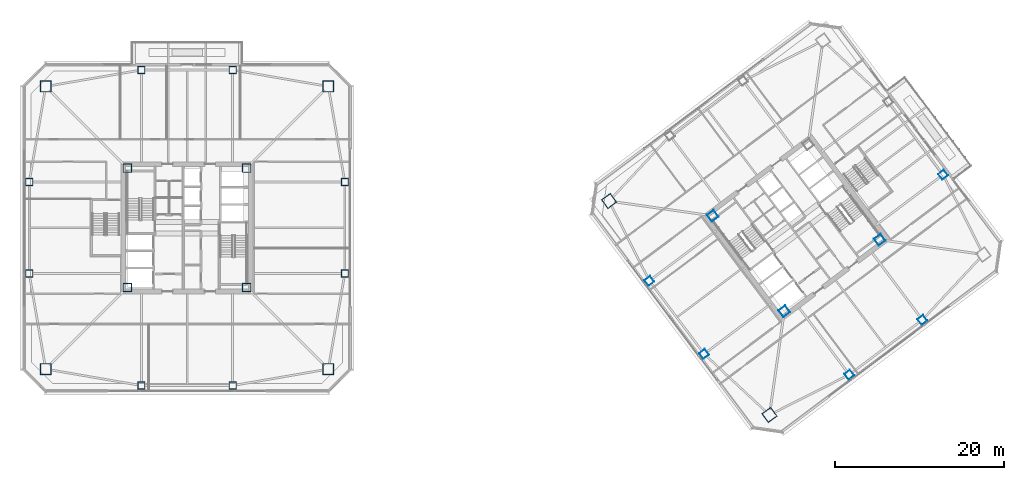
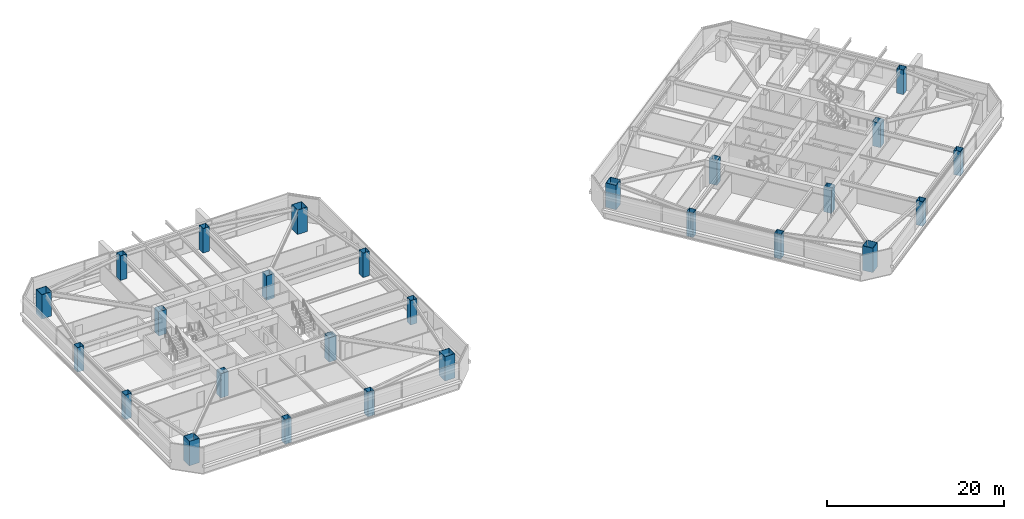
# One storey, part 1 of 41: 26 columns.
"""IFC4 building model written with IfcOpenShell, lengths in metres."""

from ifc_helpers import new_model, si_unit, direction, frame, origin, origin_2d, place, context, subcontext, project, spatial, hollow_rectangle, extrude, material, material_profile, profile_set, type_object, element, save


model = new_model("IFC4")

# Units and contexts
model_context = context("Model", 3, precision=1e-05, world=origin(), true_north=direction((0.0, 1.0)))
body_context = subcontext(model_context, "Body", "Model", "MODEL_VIEW")
ifc_project = project(units=[si_unit("LENGTHUNIT", "METRE"), si_unit("AREAUNIT", "SQUARE_METRE"), si_unit("VOLUMEUNIT", "CUBIC_METRE"), si_unit("PLANEANGLEUNIT", "RADIAN"), si_unit("MASSUNIT", "GRAM", prefix="KILO")], contexts=[model_context])

# Site, building, storey
site_placement = place(None, origin())
site = spatial("IfcSite", under=ifc_project, at=site_placement, CompositionType="ELEMENT")
building_placement = place(site_placement, origin())
building = spatial("IfcBuilding", under=site, at=building_placement, Name="Tashvorn Skyway Center", CompositionType="ELEMENT")
storey_placement = place(building_placement, frame((0.0, 0.0, 146.35009765625)))
storey = spatial("IfcBuildingStorey", under=building, at=storey_placement, Name="L39", CompositionType="ELEMENT", Elevation=146.35009765625)

# Columns
ifc_material = material(Name="Steel ASTM A572 Grade 50", Category="steel")
ifc_material_profile_1 = material_profile(ifc_material, hollow_rectangle(XDim=1.0, YDim=1.0, WallThickness=0.0400390625, at=origin_2d()), Name="BOX1000x1000x40")
ifc_profile_set_1 = profile_set([ifc_material_profile_1], Name="Steel ASTM A572 Grade 50")
column_type_1 = type_object("IfcColumnType", Name="COL-BOX1000x1000x40", PredefinedType="COLUMN", material=ifc_profile_set_1)
for number, where, z_axis, x_axis, name in (
    (1, (34.949951171875, 24.949951171875, 0.0), (0.0, 0.0, 1.0), (1.0, 0.0, 0.0), "Tower 1 L39 Core Corner Column CC-SW"),
    (2, (49.050048828125, 24.949951171875, 0.0), (0.0, 0.0, 1.0), (1.0, 0.0, 0.0), "Tower 1 L39 Core Corner Column CC-SE"),
    (3, (49.050048828125, 39.050048828125, 0.0), (0.0, 0.0, 1.0), (1.0, 0.0, 0.0), "Tower 1 L39 Core Corner Column CC-NE"),
    (4, (34.949951171875, 39.050048828125, 0.0), (0.0, 0.0, 1.0), (1.0, 0.0, 0.0), "Tower 1 L39 Core Corner Column CC-NW"),
    (5, (112.590087890625, 22.1298828125, 0.0), (0.0, 0.0, 1.0), (0.799999996291, 0.600000004945, 0.0), "Tower 2 L39 Core Corner Column CC-SW"),
    (6, (123.8701171875, 30.590087890625, 0.0), (0.0, 0.0, 1.0), (0.799999996291, 0.600000004945, 0.0), "Tower 2 L39 Core Corner Column CC-SE"),
    (7, (104.1298828125, 33.409912109375, 0.0), (0.0, 0.0, 1.0), (0.799999996291, 0.600000004945, 0.0), "Tower 2 L39 Core Corner Column CC-NW"),
):
    element("IfcColumn", number, at=place(storey_placement, frame(where, z_axis=z_axis, x_axis=x_axis)), inside=storey, type_object=column_type_1, Name=name, PredefinedType="COLUMN", context=body_context, shape_type="SweptSolid", body=[
        extrude(hollow_rectangle(XDim=1.0, YDim=1.0, WallThickness=0.0400390625, at=origin_2d()), origin(), (0.0, 0.0, 1.0), 3.369873046875),
    ])
ifc_material_profile_2 = material_profile(ifc_material, hollow_rectangle(XDim=1.300048828125, YDim=1.300048828125, WallThickness=0.050048828125, at=origin_2d()), Name="BOX1300x1300x50")
ifc_profile_set_2 = profile_set([ifc_material_profile_2], Name="Steel ASTM A572 Grade 50")
column_type_2 = type_object("IfcColumnType", Name="COL-BOX1300x1300x50", PredefinedType="COLUMN", material=ifc_profile_set_2)
for number, where, z_axis, x_axis, name in (
    (8, (25.300048828125, 15.300048828125, 0.0), (0.0, 0.0, 1.0), (1.0, 0.0, 0.0), "Tower 1 L39 Mega-Column MC-SW"),
    (9, (58.699951171875, 15.300048828125, 0.0), (0.0, 0.0, 1.0), (1.0, 0.0, 0.0), "Tower 1 L39 Mega-Column MC-SE"),
    (10, (58.699951171875, 48.699951171875, 0.0), (0.0, 0.0, 1.0), (1.0, 0.0, 0.0), "Tower 1 L39 Mega-Column MC-NE"),
    (11, (25.300048828125, 48.699951171875, 0.0), (0.0, 0.0, 1.0), (1.0, 0.0, 0.0), "Tower 1 L39 Mega-Column MC-NW"),
    (12, (110.840087890625, 9.8798828125, 0.0), (0.0, 0.0, 1.0), (0.799999996291, 0.600000004945, 0.0), "Tower 2 L39 Mega-Column MC-SW"),
    (13, (91.8798828125, 35.159912109375, 0.0), (0.0, 0.0, 1.0), (0.799999996291, 0.600000004945, 0.0), "Tower 2 L39 Mega-Column MC-NW"),
):
    element("IfcColumn", number, at=place(storey_placement, frame(where, z_axis=z_axis, x_axis=x_axis)), inside=storey, type_object=column_type_2, Name=name, PredefinedType="COLUMN", context=body_context, shape_type="SweptSolid", body=[
        extrude(hollow_rectangle(XDim=1.300048828125, YDim=1.300048828125, WallThickness=0.050048828125, at=origin_2d()), origin(), (0.0, 0.0, 1.0), 3.369873046875),
    ])
ifc_material_profile_3 = material_profile(ifc_material, hollow_rectangle(XDim=0.85009765625, YDim=0.85009765625, WallThickness=0.034912109375, at=origin_2d()), Name="BOX850x850x35")
ifc_profile_set_3 = profile_set([ifc_material_profile_3], Name="Steel ASTM A572 Grade 50")
column_type_3 = type_object("IfcColumnType", Name="COL-BOX850x850x35", PredefinedType="COLUMN", material=ifc_profile_set_3)
for number, where, z_axis, x_axis, name in (
    (14, (36.60009765625, 13.35009765625, 0.0), (0.0, 0.0, 1.0), (1.0, 0.0, 0.0), "Tower 1 L39 Perimeter Column FC-S1"),
    (15, (47.39990234375, 13.35009765625, 0.0), (0.0, 0.0, 1.0), (1.0, 0.0, 0.0), "Tower 1 L39 Perimeter Column FC-S2"),
    (16, (60.64990234375, 26.60009765625, 0.0), (0.0, 0.0, 1.0), (1.0, 0.0, 0.0), "Tower 1 L39 Perimeter Column FC-E1"),
    (17, (60.64990234375, 37.39990234375, 0.0), (0.0, 0.0, 1.0), (1.0, 0.0, 0.0), "Tower 1 L39 Perimeter Column FC-E2"),
    (18, (47.39990234375, 50.64990234375, 0.0), (0.0, 0.0, 1.0), (1.0, 0.0, 0.0), "Tower 1 L39 Perimeter Column FC-N1"),
    (19, (36.60009765625, 50.64990234375, 0.0), (0.0, 0.0, 1.0), (1.0, 0.0, 0.0), "Tower 1 L39 Perimeter Column FC-N2"),
    (20, (23.35009765625, 37.39990234375, 0.0), (0.0, 0.0, 1.0), (1.0, 0.0, 0.0), "Tower 1 L39 Perimeter Column FC-W1"),
    (21, (23.35009765625, 26.60009765625, 0.0), (0.0, 0.0, 1.0), (1.0, 0.0, 0.0), "Tower 1 L39 Perimeter Column FC-W2"),
    (22, (120.27001953125, 14.639892578125, 0.0), (0.0, 0.0, 1.0), (0.799999996291, 0.600000004945, 0.0), "Tower 2 L39 Perimeter Column FC-S1"),
    (23, (128.909912109375, 21.1201171875, 0.0), (0.0, 0.0, 1.0), (0.799999996291, 0.600000004945, 0.0), "Tower 2 L39 Perimeter Column FC-S2"),
    (24, (131.360107421875, 38.27001953125, 0.0), (0.0, 0.0, 1.0), (0.799999996291, 0.600000004945, 0.0), "Tower 2 L39 Perimeter Column FC-E1"),
    (25, (96.639892578125, 25.72998046875, 0.0), (0.0, 0.0, 1.0), (0.799999996291, 0.600000004945, 0.0), "Tower 2 L39 Perimeter Column FC-W1"),
    (26, (103.1201171875, 17.090087890625, 0.0), (0.0, 0.0, 1.0), (0.799999996291, 0.600000004945, 0.0), "Tower 2 L39 Perimeter Column FC-W2"),
):
    element("IfcColumn", number, at=place(storey_placement, frame(where, z_axis=z_axis, x_axis=x_axis)), inside=storey, type_object=column_type_3, Name=name, PredefinedType="COLUMN", context=body_context, shape_type="SweptSolid", body=[
        extrude(hollow_rectangle(XDim=0.85009765625, YDim=0.85009765625, WallThickness=0.034912109375, at=origin_2d()), origin(), (0.0, 0.0, 1.0), 3.369873046875),
    ])

save(model, "model.ifc")
